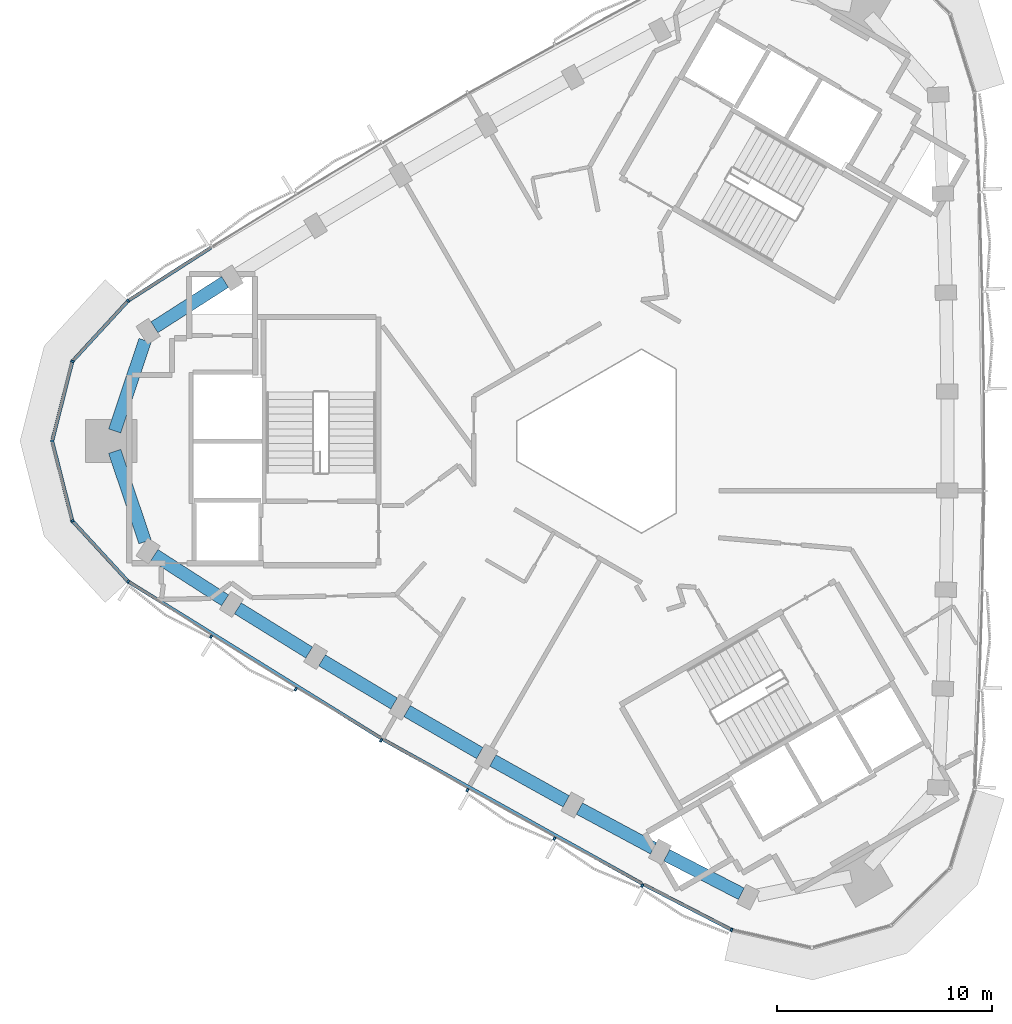
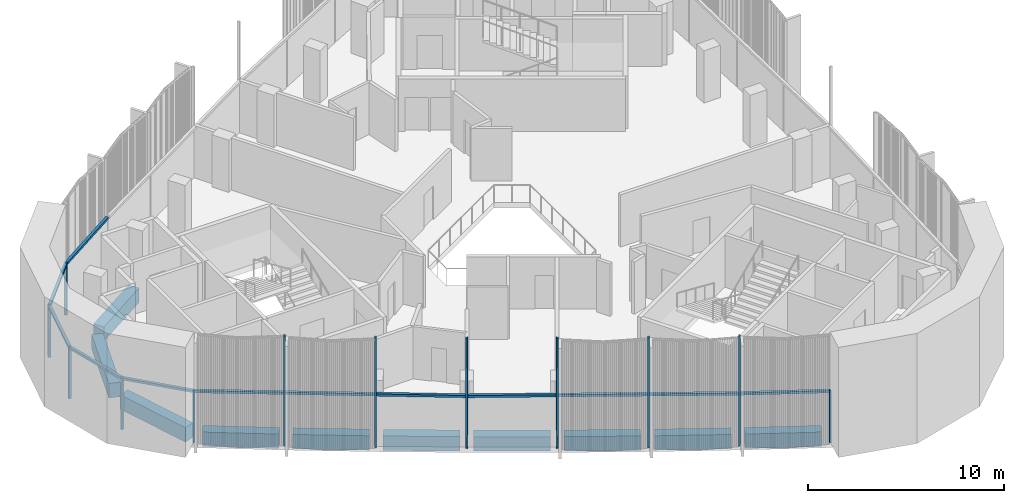
# One storey, part 2 of 13: 20 members, 10 beams, 2 elements without a shape of their own.
"""IFC4 building model written with IfcOpenShell, lengths in metres."""

from ifc_helpers import new_model, si_unit, direction, frame, origin, origin_2d, place, context, subcontext, project, spatial, rectangle, extrude, material, material_profile, profile_set, type_object, element, aggregate, save


model = new_model("IFC4")

# Units and contexts
model_context = context("Model", 3, precision=1e-05, world=origin(), true_north=direction((0.0, 1.0)))
body_context = subcontext(model_context, "Body", "Model", "MODEL_VIEW")
ifc_project = project(units=[si_unit("LENGTHUNIT", "METRE"), si_unit("AREAUNIT", "SQUARE_METRE"), si_unit("VOLUMEUNIT", "CUBIC_METRE"), si_unit("PLANEANGLEUNIT", "RADIAN"), si_unit("MASSUNIT", "GRAM", prefix="KILO")], contexts=[model_context])

# Site, building, storey
site_placement = place(None, origin())
site = spatial("IfcSite", under=ifc_project, at=site_placement, CompositionType="ELEMENT")
building_placement = place(site_placement, origin())
building = spatial("IfcBuilding", under=site, at=building_placement, Name="Tamra Quay Hotel Tower", CompositionType="ELEMENT")
storey_placement = place(building_placement, frame((0.0, 0.0, 291.0)))
storey = spatial("IfcBuildingStorey", under=building, at=storey_placement, Name="L73", CompositionType="ELEMENT", Elevation=291.0)

# Curtain wall, members
ifc_material_1 = material(Name="Aluminium 6063 anodised dark grey", Category="aluminium")
curtain_wall_type_1 = type_object("IfcCurtainWallType", Name="CW2 CURTAIN WALL", PredefinedType="NOTDEFINED", material=ifc_material_1)
curtain_wall_1_placement = place(storey_placement, origin())
curtain_wall_1 = element("IfcCurtainWall", 1, at=curtain_wall_1_placement, inside=storey, type_object=curtain_wall_type_1, Name="CW2 north-west face L73", PredefinedType="NOTDEFINED")
ifc_material_profile_1 = material_profile(ifc_material_1, rectangle(XDim=0.159912109375, YDim=0.10009765625, at=origin_2d()), Name="MULLION 100X160")
ifc_profile_set_1 = profile_set([ifc_material_profile_1], Name="Aluminium 6063 anodised dark grey")
member_type_1 = type_object("IfcMemberType", Name="MULLION CW2 Z6", PredefinedType="MULLION", material=ifc_profile_set_1)
member_1_placement = place(storey_placement, frame((-22.488525390625, 6.530517578125, 0.0), z_axis=(0.0, 0.0, 1.0), x_axis=(-0.643086474198, 0.765793566638, 0.0)))
member_1 = element("IfcMember", 2, at=member_1_placement, type_object=member_type_1, Name="CW2 mullion L73.NW.8", PredefinedType="MULLION", context=body_context, shape_type="SweptSolid", body=[
    extrude(rectangle(XDim=0.159912109375, YDim=0.10009765625, at=origin_2d()), origin(), (0.0, 0.0, 1.0), 3.25),
])
member_2_placement = place(storey_placement, frame((-25.0830078125, 3.712890625, 0.0), z_axis=(0.0, 0.0, 1.0), x_axis=(-0.879433050093, 0.476022594427, 0.0)))
member_2 = element("IfcMember", 3, at=member_2_placement, type_object=member_type_1, Name="CW2 mullion L73.NW.9", PredefinedType="MULLION", context=body_context, shape_type="SweptSolid", body=[
    extrude(rectangle(XDim=0.159912109375, YDim=0.10009765625, at=origin_2d()), origin(), (0.0, 0.0, 1.0), 3.25),
])
member_3_placement = place(storey_placement, frame((-26.0234375, 0.0, 0.0), z_axis=(0.0, 0.0, 1.0), x_axis=(-1.0, 0.0, 0.0)))
member_3 = element("IfcMember", 4, at=member_3_placement, type_object=member_type_1, Name="CW2 mullion L73.NW.10", PredefinedType="MULLION", context=body_context, shape_type="SweptSolid", body=[
    extrude(rectangle(XDim=0.159912109375, YDim=0.10009765625, at=origin_2d()), origin(), (0.0, 0.0, 1.0), 3.25),
])
member_4_placement = place(storey_placement, frame((-25.0830078125, -3.712890625, 0.0), z_axis=(0.0, 0.0, 1.0), x_axis=(-0.879433050093, -0.476022594427, 0.0)))
member_4 = element("IfcMember", 5, at=member_4_placement, type_object=member_type_1, Name="CW2 mullion L73.NW.11", PredefinedType="MULLION", context=body_context, shape_type="SweptSolid", body=[
    extrude(rectangle(XDim=0.159912109375, YDim=0.10009765625, at=origin_2d()), origin(), (0.0, 0.0, 1.0), 3.25),
])

curtain_wall_type_2 = type_object("IfcCurtainWallType", Name="CW3 CURTAIN WALL", PredefinedType="NOTDEFINED", material=ifc_material_1)
curtain_wall_2_placement = place(storey_placement, origin())
curtain_wall_2 = element("IfcCurtainWall", 6, at=curtain_wall_2_placement, inside=storey, type_object=curtain_wall_type_2, Name="CW3 south-west face L73", PredefinedType="NOTDEFINED")
ifc_material_profile_2 = material_profile(ifc_material_1, rectangle(XDim=0.159912109375, YDim=0.10009765625, at=origin_2d()), Name="MULLION 100X160")
ifc_profile_set_2 = profile_set([ifc_material_profile_2], Name="Aluminium 6063 anodised dark grey")
member_type_2 = type_object("IfcMemberType", Name="MULLION CW3 Z6", PredefinedType="MULLION", material=ifc_profile_set_2)
member_5_placement = place(storey_placement, frame((-22.488525390625, -6.530517578125, 0.0), z_axis=(0.0, 0.0, 1.0), x_axis=(-0.643086474198, -0.765793566638, 0.0)))
member_5 = element("IfcMember", 7, at=member_5_placement, type_object=member_type_2, Name="CW3 mullion L73.SW.1", PredefinedType="MULLION", context=body_context, shape_type="SweptSolid", body=[
    extrude(rectangle(XDim=0.159912109375, YDim=0.10009765625, at=origin_2d()), origin(), (0.0, 0.0, 1.0), 3.25),
])
member_6_placement = place(storey_placement, frame((-18.630615234375, -9.100830078125, 0.0), z_axis=(0.0, 0.0, 1.0), x_axis=(-0.533422294029, -0.845849074146, 0.0)))
member_6 = element("IfcMember", 8, at=member_6_placement, type_object=member_type_2, Name="CW3 mullion L73.SW.2", PredefinedType="MULLION", context=body_context, shape_type="SweptSolid", body=[
    extrude(rectangle(XDim=0.159912109375, YDim=0.10009765625, at=origin_2d()), origin(), (0.0, 0.0, 1.0), 6.85009765625),
])
member_7_placement = place(storey_placement, frame((-14.691650390625, -11.542236328125, 0.0), z_axis=(0.0, 0.0, 1.0), x_axis=(-0.520160390508, -0.854068596862, 0.0)))
member_7 = element("IfcMember", 9, at=member_7_placement, type_object=member_type_2, Name="CW3 mullion L73.SW.3", PredefinedType="MULLION", context=body_context, shape_type="SweptSolid", body=[
    extrude(rectangle(XDim=0.159912109375, YDim=0.10009765625, at=origin_2d()), origin(), (0.0, 0.0, 1.0), 6.85009765625),
])
member_8_placement = place(storey_placement, frame((-10.714111328125, -13.92236328125, 0.0), z_axis=(0.0, 0.0, 1.0), x_axis=(-0.506753957891, -0.862090729658, 0.0)))
member_8 = element("IfcMember", 10, at=member_8_placement, type_object=member_type_2, Name="CW3 mullion L73.SW.4", PredefinedType="MULLION", context=body_context, shape_type="SweptSolid", body=[
    extrude(rectangle(XDim=0.159912109375, YDim=0.10009765625, at=origin_2d()), origin(), (0.0, 0.0, 1.0), 6.85009765625),
])
member_9_placement = place(storey_placement, frame((-6.699951171875, -16.23974609375, 0.0), z_axis=(0.0, 0.0, 1.0), x_axis=(-0.493215493305, -0.869907165831, 0.0)))
member_9 = element("IfcMember", 11, at=member_9_placement, type_object=member_type_2, Name="CW3 mullion L73.SW.5", PredefinedType="MULLION", context=body_context, shape_type="SweptSolid", body=[
    extrude(rectangle(XDim=0.159912109375, YDim=0.10009765625, at=origin_2d()), origin(), (0.0, 0.0, 1.0), 6.85009765625),
])
member_10_placement = place(storey_placement, frame((-2.650146484375, -18.494384765625, 0.0), z_axis=(0.0, 0.0, 1.0), x_axis=(-0.479564906203, -0.877506410654, 0.0)))
member_10 = element("IfcMember", 12, at=member_10_placement, type_object=member_type_2, Name="CW3 mullion L73.SW.6", PredefinedType="MULLION", context=body_context, shape_type="SweptSolid", body=[
    extrude(rectangle(XDim=0.159912109375, YDim=0.10009765625, at=origin_2d()), origin(), (0.0, 0.0, 1.0), 6.85009765625),
])
member_11_placement = place(storey_placement, frame((1.43359375, -20.684814453125, 0.0), z_axis=(0.0, 0.0, 1.0), x_axis=(-0.465815638963, -0.884881794647, 0.0)))
member_11 = element("IfcMember", 13, at=member_11_placement, type_object=member_type_2, Name="CW3 mullion L73.SW.7", PredefinedType="MULLION", context=body_context, shape_type="SweptSolid", body=[
    extrude(rectangle(XDim=0.159912109375, YDim=0.10009765625, at=origin_2d()), origin(), (0.0, 0.0, 1.0), 6.85009765625),
])
member_12_placement = place(storey_placement, frame((5.588623046875, -22.740966796875, 0.0), z_axis=(0.0, 0.0, 1.0), x_axis=(-0.341653445664, -0.939826006804, 0.0)))
member_12 = element("IfcMember", 14, at=member_12_placement, type_object=member_type_2, Name="CW3 mullion L73.SW.8", PredefinedType="MULLION", context=body_context, shape_type="SweptSolid", body=[
    extrude(rectangle(XDim=0.159912109375, YDim=0.10009765625, at=origin_2d()), origin(), (0.0, 0.0, 1.0), 3.25),
])

# Beams
ifc_material_2 = material(Name="Concrete M60", Category="concrete")
ifc_material_profile_3 = material_profile(ifc_material_2, rectangle(XDim=0.60009765625, YDim=0.89990234375, at=origin_2d()), Name="SPANDREL BEAM RC 600x900")
ifc_profile_set_3 = profile_set([ifc_material_profile_3], Name="Concrete M60")
beam_type = type_object("IfcBeamType", Name="SPANDREL BEAM RC 600x900", PredefinedType="SPANDREL", material=ifc_profile_set_3)
beam_1_placement = place(storey_placement, frame((-17.97607421875, 7.406005859375, -0.800048828125), z_axis=(-0.841679613882, -0.539977247276, 0.0), x_axis=(0.539977247276, -0.841679613882, 0.0)))
element("IfcBeam", 15, at=beam_1_placement, inside=storey, type_object=beam_type, Name="BM-SP6-015-L73", PredefinedType="SPANDREL", context=body_context, shape_type="SweptSolid", body=[
    extrude(rectangle(XDim=0.60009765625, YDim=0.89990234375, at=origin_2d()), origin(), (0.0, 0.0, 1.0), 3.906982421875),
])
for number, where, z_axis, x_axis, name in (
    (16, (-21.70068359375, 4.6845703125, -0.800048828125), (-0.318271531925, -0.947999594919, 0.0), (0.947999594919, -0.318271531925, 0.0), "BM-SP6-016-L73"),
    (17, (-23.114501953125, -0.473388671875, -0.800048828125), (0.318271531925, -0.947999594919, 0.0), (0.947999594919, 0.318271531925, 0.0), "BM-SP6-017-L73"),
):
    element("IfcBeam", number, at=place(storey_placement, frame(where, z_axis=z_axis, x_axis=x_axis)), inside=storey, type_object=beam_type, Name=name, PredefinedType="SPANDREL", context=body_context, shape_type="SweptSolid", body=[
        extrude(rectangle(XDim=0.60009765625, YDim=0.89990234375, at=origin_2d()), origin(), (0.0, 0.0, 1.0), 4.442138671875),
    ])
beam_2_placement = place(storey_placement, frame((-21.264404296875, -5.29638671875, -0.800048828125), z_axis=(0.841679613882, -0.539977247276, 0.0), x_axis=(0.539977247276, 0.841679613882, 0.0)))
element("IfcBeam", 18, at=beam_2_placement, inside=storey, type_object=beam_type, Name="BM-SP6-018-L73", PredefinedType="SPANDREL", context=body_context, shape_type="SweptSolid", body=[
    extrude(rectangle(XDim=0.60009765625, YDim=0.89990234375, at=origin_2d()), origin(), (0.0, 0.0, 1.0), 3.906982421875),
])
beam_3_placement = place(storey_placement, frame((-17.384033203125, -7.779296875, -0.800048828125), z_axis=(0.849972078006, -0.526827739029, 0.0), x_axis=(0.526827739029, 0.849972078006, 0.0)))
element("IfcBeam", 19, at=beam_3_placement, inside=storey, type_object=beam_type, Name="BM-SP6-019-L73", PredefinedType="SPANDREL", context=body_context, shape_type="SweptSolid", body=[
    extrude(rectangle(XDim=0.60009765625, YDim=0.89990234375, at=origin_2d()), origin(), (0.0, 0.0, 1.0), 3.907470703125),
])
beam_4_placement = place(storey_placement, frame((-13.465087890625, -10.201904296875, -0.800048828125), z_axis=(0.858120821909, -0.513447811376, 0.0), x_axis=(0.513447811376, 0.858120821909, 0.0)))
element("IfcBeam", 20, at=beam_4_placement, inside=storey, type_object=beam_type, Name="BM-SP6-020-L73", PredefinedType="SPANDREL", context=body_context, shape_type="SweptSolid", body=[
    extrude(rectangle(XDim=0.60009765625, YDim=0.89990234375, at=origin_2d()), origin(), (0.0, 0.0, 1.0), 3.9072265625),
])
for number, where, z_axis, x_axis, name in (
    (21, (-9.5087890625, -12.562744140625, -0.800048828125), (0.866011803689, -0.500023555316, 0.0), (0.500023555316, 0.866011803689, 0.0), "BM-SP6-021-L73"),
    (22, (-5.516357421875, -14.861572265625, -0.800048828125), (0.873726581477, -0.486417373066, 0.0), (0.486417373066, 0.873726581477, 0.0), "BM-SP6-022-L73"),
):
    element("IfcBeam", number, at=place(storey_placement, frame(where, z_axis=z_axis, x_axis=x_axis)), inside=storey, type_object=beam_type, Name=name, PredefinedType="SPANDREL", context=body_context, shape_type="SweptSolid", body=[
        extrude(rectangle(XDim=0.60009765625, YDim=0.89990234375, at=origin_2d()), origin(), (0.0, 0.0, 1.0), 3.906982421875),
    ])
beam_5_placement = place(storey_placement, frame((-1.488525390625, -17.09765625, -0.800048828125), z_axis=(0.88123835064, -0.472672158437, 0.0), x_axis=(0.472672158437, 0.88123835064, 0.0)))
element("IfcBeam", 23, at=beam_5_placement, inside=storey, type_object=beam_type, Name="BM-SP6-023-L73", PredefinedType="SPANDREL", context=body_context, shape_type="SweptSolid", body=[
    extrude(rectangle(XDim=0.60009765625, YDim=0.89990234375, at=origin_2d()), origin(), (0.0, 0.0, 1.0), 3.907470703125),
])
beam_6_placement = place(storey_placement, frame((2.57421875, -19.270751953125, -0.800048828125), z_axis=(0.888476019227, -0.458923047208, 0.0), x_axis=(0.458923047208, 0.888476019227, 0.0)))
element("IfcBeam", 24, at=beam_6_placement, inside=storey, type_object=beam_type, Name="BM-SP6-024-L73", PredefinedType="SPANDREL", context=body_context, shape_type="SweptSolid", body=[
    extrude(rectangle(XDim=0.60009765625, YDim=0.89990234375, at=origin_2d()), origin(), (0.0, 0.0, 1.0), 3.906982421875),
])

# Member
ifc_material_profile_4 = material_profile(ifc_material_1, rectangle(XDim=0.159912109375, YDim=0.139892578125, at=origin_2d()), Name="TRANSOM 160X140")
ifc_profile_set_4 = profile_set([ifc_material_profile_4], Name="Aluminium 6063 anodised dark grey")
member_type_3 = type_object("IfcMemberType", Name="TRANSOM CW2 Z6", PredefinedType="USERDEFINED", material=ifc_profile_set_4)
member_13_placement = place(storey_placement, frame((-18.6298828125, 9.006103515625, 3.179931640625), z_axis=(-0.841671458023, -0.539989959859, 0.0), x_axis=(0.539989959859, -0.841671458023, 0.0)))
member_13 = element("IfcMember", 25, at=member_13_placement, type_object=member_type_3, Name="CW2 transom L73.NW.7", ObjectType="TRANSOM", PredefinedType="USERDEFINED", context=body_context, shape_type="SweptSolid", body=[
    extrude(rectangle(XDim=0.159912109375, YDim=0.139892578125, at=origin_2d()), origin(), (0.0, 0.0, 1.0), 4.534423828125),
])

member_14_placement = place(storey_placement, frame((-22.522216796875, 6.493896484375, 3.179931640625), z_axis=(-0.677382568032, -0.735630924123, 0.0), x_axis=(0.735630924123, -0.677382568032, 0.0)))
member_14 = element("IfcMember", 26, at=member_14_placement, type_object=member_type_3, Name="CW2 transom L73.NW.8", ObjectType="TRANSOM", PredefinedType="USERDEFINED", context=body_context, shape_type="SweptSolid", body=[
    extrude(rectangle(XDim=0.159912109375, YDim=0.139892578125, at=origin_2d()), origin(), (0.0, 0.0, 1.0), 3.730224609375),
])

member_15_placement = place(storey_placement, frame((-25.09521484375, 3.66455078125, 3.179931640625), z_axis=(-0.245506732561, -0.96939488562, 0.0), x_axis=(0.96939488562, -0.245506732561, 0.0)))
member_15 = element("IfcMember", 27, at=member_15_placement, type_object=member_type_3, Name="CW2 transom L73.NW.9", ObjectType="TRANSOM", PredefinedType="USERDEFINED", context=body_context, shape_type="SweptSolid", body=[
    extrude(rectangle(XDim=0.159912109375, YDim=0.139892578125, at=origin_2d()), origin(), (0.0, 0.0, 1.0), 3.730224609375),
])

member_16_placement = place(storey_placement, frame((-26.010986328125, -0.048583984375, 3.179931640625), z_axis=(0.245506732561, -0.96939488562, 0.0), x_axis=(0.96939488562, 0.245506732561, 0.0)))
member_16 = element("IfcMember", 28, at=member_16_placement, type_object=member_type_3, Name="CW2 transom L73.NW.10", ObjectType="TRANSOM", PredefinedType="USERDEFINED", context=body_context, shape_type="SweptSolid", body=[
    extrude(rectangle(XDim=0.159912109375, YDim=0.139892578125, at=origin_2d()), origin(), (0.0, 0.0, 1.0), 3.730224609375),
])

member_17_placement = place(storey_placement, frame((-25.049072265625, -3.749755859375, 3.179931640625), z_axis=(0.677382568032, -0.735630924123, 0.0), x_axis=(0.735630924123, 0.677382568032, 0.0)))
member_17 = element("IfcMember", 29, at=member_17_placement, type_object=member_type_3, Name="CW2 transom L73.NW.11", ObjectType="TRANSOM", PredefinedType="USERDEFINED", context=body_context, shape_type="SweptSolid", body=[
    extrude(rectangle(XDim=0.159912109375, YDim=0.139892578125, at=origin_2d()), origin(), (0.0, 0.0, 1.0), 3.730224609375),
])

aggregate(curtain_wall_1, [member_13, member_1, member_14, member_2, member_15, member_3, member_16, member_4, member_17])

ifc_material_profile_5 = material_profile(ifc_material_1, rectangle(XDim=0.159912109375, YDim=0.139892578125, at=origin_2d()), Name="TRANSOM 160X140")
ifc_profile_set_5 = profile_set([ifc_material_profile_5], Name="Aluminium 6063 anodised dark grey")
member_type_4 = type_object("IfcMemberType", Name="TRANSOM CW3 Z6", PredefinedType="USERDEFINED", material=ifc_profile_set_5)
member_18_placement = place(storey_placement, frame((-22.4462890625, -6.5576171875, 3.179931640625), z_axis=(0.849981120272, -0.52681315016, 0.0), x_axis=(0.52681315016, 0.849981120272, 0.0)))
member_18 = element("IfcMember", 30, at=member_18_placement, type_object=member_type_4, Name="CW3 transom L73.SW.1", ObjectType="TRANSOM", PredefinedType="USERDEFINED", context=body_context, shape_type="SweptSolid", body=[
    extrude(rectangle(XDim=0.159912109375, YDim=0.139892578125, at=origin_2d()), origin(), (0.0, 0.0, 1.0), 13.800048828125),
])

member_19_placement = place(storey_placement, frame((-10.63037109375, -13.878173828125, 3.179931640625), z_axis=(0.873726321202, -0.486417840585, 0.0), x_axis=(0.486417840585, 0.873726321202, 0.0)))
member_19 = element("IfcMember", 31, at=member_19_placement, type_object=member_type_4, Name="CW3 transom L73.SW.4", ObjectType="TRANSOM", PredefinedType="USERDEFINED", context=body_context, shape_type="SweptSolid", body=[
    extrude(rectangle(XDim=0.159912109375, YDim=0.139892578125, at=origin_2d()), origin(), (0.0, 0.0, 1.0), 13.799560546875),
])

member_20_placement = place(storey_placement, frame((1.515380859375, -20.63720703125, 3.179931640625), z_axis=(0.888492499953, -0.45889113908, 0.0), x_axis=(0.45889113908, 0.888492499953, 0.0)))
member_20 = element("IfcMember", 32, at=member_20_placement, type_object=member_type_4, Name="CW3 transom L73.SW.7", ObjectType="TRANSOM", PredefinedType="USERDEFINED", context=body_context, shape_type="SweptSolid", body=[
    extrude(rectangle(XDim=0.159912109375, YDim=0.139892578125, at=origin_2d()), origin(), (0.0, 0.0, 1.0), 4.534423828125),
])

aggregate(curtain_wall_2, [member_5, member_18, member_6, member_7, member_8, member_19, member_9, member_10, member_11, member_20, member_12])

save(model, "model.ifc")
